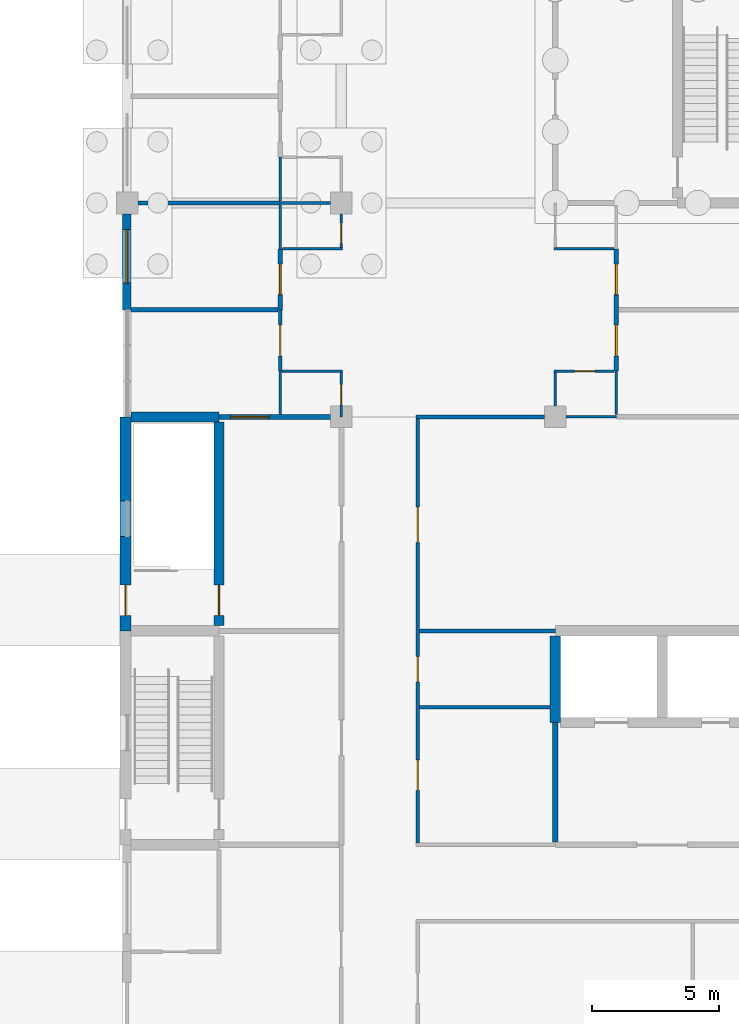
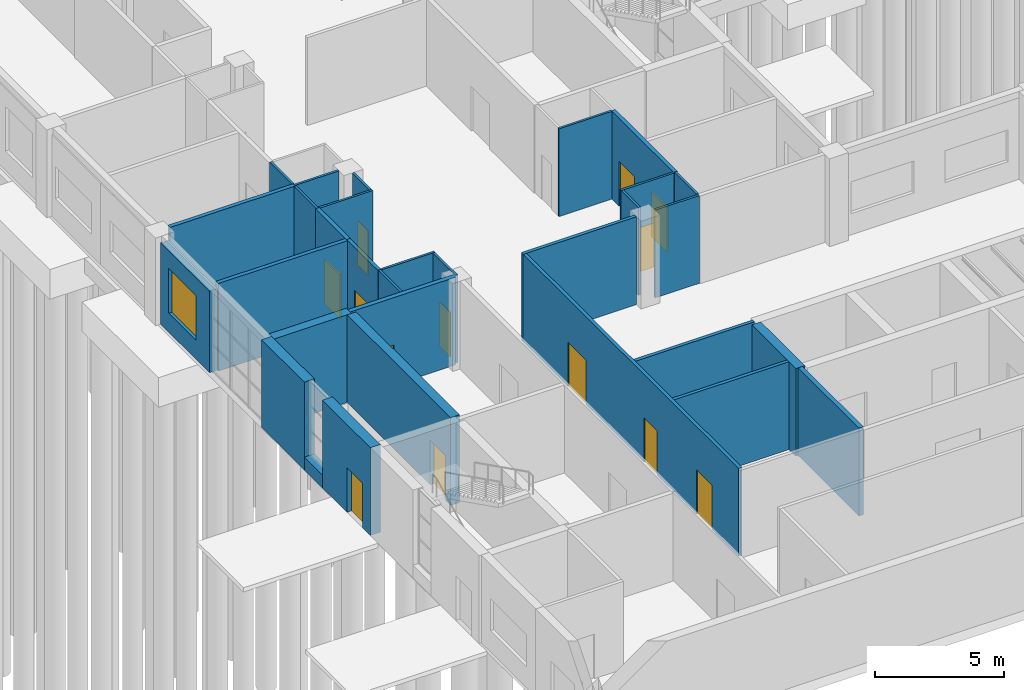
# One storey, part 95 of 138: 31 walls, 12 doors, 2 windows, 14 openings.
"""IFC4 building model written with IfcOpenShell, lengths in metres."""

from ifc_helpers import new_model, si_unit, direction, frame, frame_2d, origin, place, context, subcontext, project, spatial, rectangle, extrude, material, layer, layer_set, type_object, element, fill, save


model = new_model("IFC4")

# Units and contexts
model_context = context("Model", 3, precision=1e-05, world=origin(), true_north=direction((0.0, 1.0)))
body_context = subcontext(model_context, "Body", "Model", "MODEL_VIEW")
ifc_project = project(units=[si_unit("LENGTHUNIT", "METRE"), si_unit("AREAUNIT", "SQUARE_METRE"), si_unit("VOLUMEUNIT", "CUBIC_METRE"), si_unit("PLANEANGLEUNIT", "RADIAN"), si_unit("MASSUNIT", "GRAM", prefix="KILO")], contexts=[model_context])

# Site, building, storey
site_placement = place(None, origin())
site = spatial("IfcSite", under=ifc_project, at=site_placement, CompositionType="ELEMENT")
building_placement = place(site_placement, origin())
building = spatial("IfcBuilding", under=site, at=building_placement, Name="Yavir Park General Hospital", CompositionType="ELEMENT")
storey_placement = place(building_placement, origin())
storey = spatial("IfcBuildingStorey", under=building, at=storey_placement, Name="L00", CompositionType="ELEMENT", Elevation=0.0)

# Walls
ifc_material_1 = material(Name="Double-leaf gypsum board acoustic partition on staggered studs")
ifc_layer_1 = layer(ifc_material_1, 0.175048828125)
ifc_layer_set_1 = layer_set([ifc_layer_1], Name="Double-leaf gypsum board acoustic partition on staggered studs")
wall_type_1 = type_object("IfcWallType", Name="Acoustic partition 175", PredefinedType="PARTITIONING", material=ifc_layer_set_1)
wall_1_placement = place(storey_placement, frame((0.14990234375, 37.800048828125, 0.0), z_axis=(0.0, 0.0, 1.0), x_axis=(1.0, 0.0, 0.0)))
element("IfcWall", 1, at=wall_1_placement, inside=storey, type_object=wall_type_1, Name="AP175 L00-099", PredefinedType="PARTITIONING", context=body_context, shape_type="SweptSolid", body=[
    extrude(rectangle(XDim=5.7626953125, YDim=0.175048828125, at=frame_2d((2.88134765625, 0.0))), origin(), (0.0, 0.0, 1.0), 4.139892578125),
])
wall_2_placement = place(storey_placement, frame((0.425048828125, 42.0, 0.0), z_axis=(0.0, 0.0, 1.0), x_axis=(1.0, 0.0, 0.0)))
element("IfcWall", 2, at=wall_2_placement, inside=storey, type_object=wall_type_1, Name="AP175 L00-106", PredefinedType="PARTITIONING", context=body_context, shape_type="SweptSolid", body=[
    extrude(rectangle(XDim=5.574951171875, YDim=0.175048828125, at=frame_2d((2.78759765625, 0.0))), origin(), (0.0, 0.0, 1.0), 4.139892578125),
])

# Wall, opening, door
wall_3_placement = place(storey_placement, frame((6.0, 37.800048828125, 0.0), z_axis=(0.0, 0.0, 1.0), x_axis=(0.0, 1.0, 0.0)))
wall_3 = element("IfcWall", 3, at=wall_3_placement, inside=storey, type_object=wall_type_1, Name="AP175 L00-257", PredefinedType="PARTITIONING", context=body_context, shape_type="SweptSolid", body=[
    extrude(rectangle(XDim=2.39990234375, YDim=0.175048828125, at=frame_2d((1.199951171875, 0.0))), origin(), (0.0, 0.0, 1.0), 4.139892578125),
])
opening_1_placement = place(wall_3_placement, frame((0.60009765625, 0.0, 0.0)))
opening_1 = element("IfcOpeningElement", 4, at=opening_1_placement, cuts=wall_3, Name="Opening L00.D132", PredefinedType="OPENING", context=body_context, shape_type="SweptSolid", body=[
    extrude(rectangle(XDim=1.199951171875, YDim=2.10009765625, at=frame_2d((0.60009765625, 1.050048828125))), frame((0.0, 0.097412109375, 0.0), z_axis=(0.0, -1.0, 0.0), x_axis=(1.0, 0.0, 0.0)), (0.0, 0.0, 1.0), 0.195068359375),
])
ifc_material_2 = material(Name="Sealed solid-core acoustic door leaf, Rw 42 dB")
door_type_1 = type_object("IfcDoorType", Name="Acoustic door 1200 x 2100", OperationType="SINGLE_SWING_LEFT", PredefinedType="DOOR", material=ifc_material_2)
door_1_placement = place(opening_1_placement, origin())
door_1 = element("IfcDoor", 5, at=door_1_placement, inside=storey, type_object=door_type_1, Name="L00.D132", OperationType="SINGLE_SWING_RIGHT", OverallHeight=2.10009765625, OverallWidth=1.199951171875, PredefinedType="DOOR", context=body_context, shape_type="SweptSolid", body=[
    extrude(rectangle(XDim=1.199951171875, YDim=2.10009765625, at=frame_2d((0.60009765625, 1.050048828125))), frame((0.0, 0.03515625, 0.0), z_axis=(0.0, -1.0, 0.0), x_axis=(1.0, 0.0, 0.0)), (0.0, 0.0, 1.0), 0.070068359375),
])
fill(opening_1, door_1)

# Wall, openings, doors
wall_4_placement = place(storey_placement, frame((19.199951171875, 35.39990234375, 0.0), z_axis=(0.0, 0.0, 1.0), x_axis=(0.0, 1.0, 0.0)))
wall_4 = element("IfcWall", 6, at=wall_4_placement, inside=storey, type_object=wall_type_1, Name="AP175 L00-317", PredefinedType="PARTITIONING", context=body_context, shape_type="SweptSolid", body=[
    extrude(rectangle(XDim=4.800048828125, YDim=0.175048828125, at=frame_2d((2.39990234375, 0.0))), origin(), (0.0, 0.0, 1.0), 4.139892578125),
])
opening_2_placement = place(wall_4_placement, frame((0.60009765625, 0.0, 0.0)))
opening_2 = element("IfcOpeningElement", 7, at=opening_2_placement, cuts=wall_4, Name="Opening L00.D176", PredefinedType="OPENING", context=body_context, shape_type="SweptSolid", body=[
    extrude(rectangle(XDim=1.199951171875, YDim=2.10009765625, at=frame_2d((0.60009765625, 1.050048828125))), frame((0.0, 0.097412109375, 0.0), z_axis=(0.0, -1.0, 0.0), x_axis=(1.0, 0.0, 0.0)), (0.0, 0.0, 1.0), 0.195068359375),
])
opening_3_placement = place(wall_4_placement, frame((3.0, 0.0, 0.0)))
opening_3 = element("IfcOpeningElement", 8, at=opening_3_placement, cuts=wall_4, Name="Opening L00.D177", PredefinedType="OPENING", context=body_context, shape_type="SweptSolid", body=[
    extrude(rectangle(XDim=1.199951171875, YDim=2.10009765625, at=frame_2d((0.60009765625, 1.050048828125))), frame((0.0, 0.097412109375, 0.0), z_axis=(0.0, -1.0, 0.0), x_axis=(1.0, 0.0, 0.0)), (0.0, 0.0, 1.0), 0.195068359375),
])
door_2_placement = place(opening_2_placement, origin())
door_2 = element("IfcDoor", 9, at=door_2_placement, inside=storey, type_object=door_type_1, Name="L00.D176", OperationType="SINGLE_SWING_RIGHT", OverallHeight=2.10009765625, OverallWidth=1.199951171875, PredefinedType="DOOR", context=body_context, shape_type="SweptSolid", body=[
    extrude(rectangle(XDim=1.199951171875, YDim=2.10009765625, at=frame_2d((0.60009765625, 1.050048828125))), frame((0.0, 0.03515625, 0.0), z_axis=(0.0, -1.0, 0.0), x_axis=(1.0, 0.0, 0.0)), (0.0, 0.0, 1.0), 0.070068359375),
])
fill(opening_2, door_2)
door_3_placement = place(opening_3_placement, origin())
door_3 = element("IfcDoor", 10, at=door_3_placement, inside=storey, type_object=door_type_1, Name="L00.D177", OperationType="SINGLE_SWING_LEFT", OverallHeight=2.10009765625, OverallWidth=1.199951171875, PredefinedType="DOOR", context=body_context, shape_type="SweptSolid", body=[
    extrude(rectangle(XDim=1.199951171875, YDim=2.10009765625, at=frame_2d((0.60009765625, 1.050048828125))), frame((0.0, 0.03515625, 0.0), z_axis=(0.0, -1.0, 0.0), x_axis=(1.0, 0.0, 0.0)), (0.0, 0.0, 1.0), 0.070068359375),
])
fill(opening_3, door_3)

# Wall, opening, window
ifc_material_3 = material(Name="Double gypsum board fire partition on steel studs", Category="steel")
ifc_layer_2 = layer(ifc_material_3, 0.199951171875)
ifc_layer_set_2 = layer_set([ifc_layer_2], Name="Double gypsum board fire partition on steel studs")
wall_type_2 = type_object("IfcWallType", Name="Fire-rated partition 200, EI 60", PredefinedType="PARTITIONING", material=ifc_layer_set_2)
wall_5_placement = place(storey_placement, frame((3.60009765625, 33.60009765625, 0.0), z_axis=(0.0, 0.0, 1.0), x_axis=(1.0, 0.0, 0.0)))
wall_5 = element("IfcWall", 11, at=wall_5_placement, inside=storey, type_object=wall_type_2, Name="FP20 L00-085", PredefinedType="PARTITIONING", context=body_context, shape_type="SweptSolid", body=[
    extrude(rectangle(XDim=4.699951171875, YDim=0.199951171875, at=frame_2d((2.35009765625, 0.0))), origin(), (0.0, 0.0, 1.0), 4.139892578125),
])
opening_4_placement = place(wall_5_placement, frame((0.449951171875, 0.0, 0.89990234375)))
opening_4 = element("IfcOpeningElement", 12, at=opening_4_placement, cuts=wall_5, Name="Opening L00.902", PredefinedType="OPENING", context=body_context, shape_type="SweptSolid", body=[
    extrude(rectangle(XDim=1.5, YDim=1.0, at=frame_2d((0.75, 0.5))), frame((0.0, 0.10986328125, 0.0), z_axis=(0.0, -1.0, 0.0), x_axis=(1.0, 0.0, 0.0)), (0.0, 0.0, 1.0), 0.219970703125),
])
ifc_material_4 = material(Name="Toughened glass sliding panels, aluminium frame", Category="aluminium")
window_type_1 = type_object("IfcWindowType", Name="Reception counter window 1500 x 1000", PartitioningType="DOUBLE_PANEL_HORIZONTAL", PredefinedType="WINDOW", material=ifc_material_4)
window_1_placement = place(opening_4_placement, origin())
window_1 = element("IfcWindow", 13, at=window_1_placement, inside=storey, type_object=window_type_1, Name="L00.902", OverallHeight=1.0, OverallWidth=1.5, PartitioningType="DOUBLE_PANEL_HORIZONTAL", PredefinedType="WINDOW", context=body_context, shape_type="SweptSolid", body=[
    extrude(rectangle(XDim=1.5, YDim=1.0, at=frame_2d((0.75, 0.5))), frame((0.0, 0.02490234375, 0.0), z_axis=(0.0, -1.0, 0.0), x_axis=(1.0, 0.0, 0.0)), (0.0, 0.0, 1.0), 0.050048828125),
])
fill(opening_4, window_1)

# Walls
wall_6_placement = place(storey_placement, frame((16.800048828125, 16.89990234375, 0.0), z_axis=(0.0, 0.0, 1.0), x_axis=(0.0, 1.0, 0.0)))
element("IfcWall", 14, at=wall_6_placement, inside=storey, type_object=wall_type_2, Name="FP20 L00-297", PredefinedType="PARTITIONING", context=body_context, shape_type="SweptSolid", body=[
    extrude(rectangle(XDim=4.7001953125, YDim=0.199951171875, at=frame_2d((2.35009765625, 0.0))), origin(), (0.0, 0.0, 1.0), 4.139892578125),
])
ifc_material_5 = material(Name="Gypsum board partition on steel studs", Category="steel")
ifc_layer_3 = layer(ifc_material_5, 0.10009765625)
ifc_layer_set_3 = layer_set([ifc_layer_3], Name="Gypsum board partition on steel studs")
wall_type_3 = type_object("IfcWallType", Name="Gypsum board partition 100", PredefinedType="PARTITIONING", material=ifc_layer_set_3)
wall_7_placement = place(storey_placement, frame((17.22509765625, 33.60009765625, 0.0), z_axis=(0.0, 0.0, 1.0), x_axis=(1.0, 0.0, 0.0)))
element("IfcWall", 15, at=wall_7_placement, inside=storey, type_object=wall_type_3, Name="P10 L00-087", PredefinedType="PARTITIONING", context=body_context, shape_type="SweptSolid", body=[
    extrude(rectangle(XDim=1.974853515625, YDim=0.10009765625, at=frame_2d((0.9873046875, 0.0))), origin(), (0.0, 0.0, 1.0), 4.139892578125),
])
wall_8_placement = place(storey_placement, frame((6.074951171875, 35.39990234375, 0.0), z_axis=(0.0, 0.0, 1.0), x_axis=(1.0, 0.0, 0.0)))
element("IfcWall", 16, at=wall_8_placement, inside=storey, type_object=wall_type_3, Name="P10 L00-096", PredefinedType="PARTITIONING", context=body_context, shape_type="SweptSolid", body=[
    extrude(rectangle(XDim=2.375, YDim=0.10009765625, at=frame_2d((1.1875, 0.0))), origin(), (0.0, 0.0, 1.0), 4.139892578125),
])

# Wall, opening, door
wall_9_placement = place(storey_placement, frame((16.75, 35.39990234375, 0.0), z_axis=(0.0, 0.0, 1.0), x_axis=(1.0, 0.0, 0.0)))
wall_9 = element("IfcWall", 17, at=wall_9_placement, inside=storey, type_object=wall_type_3, Name="P10 L00-097", PredefinedType="PARTITIONING", context=body_context, shape_type="SweptSolid", body=[
    extrude(rectangle(XDim=2.362548828125, YDim=0.10009765625, at=frame_2d((1.18115234375, 0.0))), origin(), (0.0, 0.0, 1.0), 4.139892578125),
])
opening_5_placement = place(wall_9_placement, frame((0.80615234375, 0.0, 0.0)))
opening_5 = element("IfcOpeningElement", 18, at=opening_5_placement, cuts=wall_9, Name="Opening L00.D084", PredefinedType="OPENING", context=body_context, shape_type="SweptSolid", body=[
    extrude(rectangle(XDim=0.800048828125, YDim=2.10009765625, at=frame_2d((0.39990234375, 1.050048828125))), frame((0.0, 0.06005859375, 0.0), z_axis=(0.0, -1.0, 0.0), x_axis=(1.0, 0.0, 0.0)), (0.0, 0.0, 1.0), 0.1201171875),
])
ifc_material_6 = material(Name="Timber frame, hollow-core leaf", Category="wood")
door_type_2 = type_object("IfcDoorType", Name="Light cupboard door 800 x 2100", OperationType="SINGLE_SWING_LEFT", PredefinedType="DOOR", material=ifc_material_6)
door_4_placement = place(opening_5_placement, origin())
door_4 = element("IfcDoor", 19, at=door_4_placement, inside=storey, type_object=door_type_2, Name="L00.D084", OperationType="SINGLE_SWING_LEFT", OverallHeight=2.10009765625, OverallWidth=0.800048828125, PredefinedType="DOOR", context=body_context, shape_type="SweptSolid", body=[
    extrude(rectangle(XDim=0.800048828125, YDim=2.10009765625, at=frame_2d((0.39990234375, 1.050048828125))), frame((0.0, 0.02001953125, 0.0), z_axis=(0.0, -1.0, 0.0), x_axis=(1.0, 0.0, 0.0)), (0.0, 0.0, 1.0), 0.0400390625),
])
fill(opening_5, door_4)

# Walls
for number, where, z_axis, x_axis, name in (
    (20, (6.08740234375, 40.199951171875, 0.0), (0.0, 0.0, 1.0), (1.0, 0.0, 0.0), "P10 L00-104"),
    (21, (16.75, 40.199951171875, 0.0), (0.0, 0.0, 1.0), (1.0, 0.0, 0.0), "P10 L00-105"),
):
    element("IfcWall", number, at=place(storey_placement, frame(where, z_axis=z_axis, x_axis=x_axis)), inside=storey, type_object=wall_type_3, Name=name, PredefinedType="PARTITIONING", context=body_context, shape_type="SweptSolid", body=[
        extrude(rectangle(XDim=2.362548828125, YDim=0.10009765625, at=frame_2d((1.18115234375, 0.0))), origin(), (0.0, 0.0, 1.0), 4.139892578125),
    ])
wall_10_placement = place(storey_placement, frame((6.0, 42.0, 0.0), z_axis=(0.0, 0.0, 1.0), x_axis=(1.0, 0.0, 0.0)))
element("IfcWall", 22, at=wall_10_placement, inside=storey, type_object=wall_type_3, Name="P10 L00-107", PredefinedType="PARTITIONING", context=body_context, shape_type="SweptSolid", body=[
    extrude(rectangle(XDim=1.97509765625, YDim=0.10009765625, at=frame_2d((0.987548828125, 0.0))), origin(), (0.0, 0.0, 1.0), 4.139892578125),
])
wall_11_placement = place(storey_placement, frame((6.0, 33.699951171875, 0.0), z_axis=(0.0, 0.0, 1.0), x_axis=(0.0, 1.0, 0.0)))
element("IfcWall", 23, at=wall_11_placement, inside=storey, type_object=wall_type_3, Name="P10 L00-255", PredefinedType="PARTITIONING", context=body_context, shape_type="SweptSolid", body=[
    extrude(rectangle(XDim=1.699951171875, YDim=0.10009765625, at=frame_2d((0.85009765625, 0.0))), origin(), (0.0, 0.0, 1.0), 4.139892578125),
])
for number, where, z_axis, x_axis, name in (
    (24, (6.0, 40.199951171875, 0.0), (0.0, 0.0, 1.0), (0.0, 1.0, 0.0), "P10 L00-258"),
    (25, (6.0, 42.08740234375, 0.0), (0.0, 0.0, 1.0), (0.0, 1.0, 0.0), "P10 L00-259"),
):
    element("IfcWall", number, at=place(storey_placement, frame(where, z_axis=z_axis, x_axis=x_axis)), inside=storey, type_object=wall_type_3, Name=name, PredefinedType="PARTITIONING", context=body_context, shape_type="SweptSolid", body=[
        extrude(rectangle(XDim=1.712646484375, YDim=0.10009765625, at=frame_2d((0.8564453125, 0.0))), origin(), (0.0, 0.0, 1.0), 4.139892578125),
    ])

# Wall, opening, door
wall_12_placement = place(storey_placement, frame((8.39990234375, 33.60009765625, 0.0), z_axis=(0.0, 0.0, 1.0), x_axis=(0.0, 1.0, 0.0)))
wall_12 = element("IfcWall", 26, at=wall_12_placement, inside=storey, type_object=wall_type_3, Name="P10 L00-280", PredefinedType="PARTITIONING", context=body_context, shape_type="SweptSolid", body=[
    extrude(rectangle(XDim=1.75, YDim=0.10009765625, at=frame_2d((0.875, 0.0))), origin(), (0.0, 0.0, 1.0), 4.139892578125),
])
opening_6_placement = place(wall_12_placement, frame((0.47509765625, 0.0, 0.0)))
opening_6 = element("IfcOpeningElement", 27, at=opening_6_placement, cuts=wall_12, Name="Opening L00.D148", PredefinedType="OPENING", context=body_context, shape_type="SweptSolid", body=[
    extrude(rectangle(XDim=0.800048828125, YDim=2.10009765625, at=frame_2d((0.39990234375, 1.050048828125))), frame((0.0, 0.06005859375, 0.0), z_axis=(0.0, -1.0, 0.0), x_axis=(1.0, 0.0, 0.0)), (0.0, 0.0, 1.0), 0.1201171875),
])
door_5_placement = place(opening_6_placement, origin())
door_5 = element("IfcDoor", 28, at=door_5_placement, inside=storey, type_object=door_type_2, Name="L00.D148", OperationType="SINGLE_SWING_RIGHT", OverallHeight=2.10009765625, OverallWidth=0.800048828125, PredefinedType="DOOR", context=body_context, shape_type="SweptSolid", body=[
    extrude(rectangle(XDim=0.800048828125, YDim=2.10009765625, at=frame_2d((0.39990234375, 1.050048828125))), frame((0.0, 0.02001953125, 0.0), z_axis=(0.0, -1.0, 0.0), x_axis=(1.0, 0.0, 0.0)), (0.0, 0.0, 1.0), 0.0400390625),
])
fill(opening_6, door_5)

wall_13_placement = place(storey_placement, frame((8.39990234375, 40.25, 0.0), z_axis=(0.0, 0.0, 1.0), x_axis=(0.0, 1.0, 0.0)))
wall_13 = element("IfcWall", 29, at=wall_13_placement, inside=storey, type_object=wall_type_3, Name="P10 L00-281", PredefinedType="PARTITIONING", context=body_context, shape_type="SweptSolid", body=[
    extrude(rectangle(XDim=1.324951171875, YDim=0.10009765625, at=frame_2d((0.66259765625, 0.0))), origin(), (0.0, 0.0, 1.0), 4.139892578125),
])
opening_7_placement = place(wall_13_placement, frame((0.16259765625, 0.0, 0.0)))
opening_7 = element("IfcOpeningElement", 30, at=opening_7_placement, cuts=wall_13, Name="Opening L00.D149", PredefinedType="OPENING", context=body_context, shape_type="SweptSolid", body=[
    extrude(rectangle(XDim=0.800048828125, YDim=2.10009765625, at=frame_2d((0.39990234375, 1.050048828125))), frame((0.0, 0.06005859375, 0.0), z_axis=(0.0, -1.0, 0.0), x_axis=(1.0, 0.0, 0.0)), (0.0, 0.0, 1.0), 0.1201171875),
])
door_6_placement = place(opening_7_placement, origin())
door_6 = element("IfcDoor", 31, at=door_6_placement, inside=storey, type_object=door_type_2, Name="L00.D149", OperationType="SINGLE_SWING_RIGHT", OverallHeight=2.10009765625, OverallWidth=0.800048828125, PredefinedType="DOOR", context=body_context, shape_type="SweptSolid", body=[
    extrude(rectangle(XDim=0.800048828125, YDim=2.10009765625, at=frame_2d((0.39990234375, 1.050048828125))), frame((0.0, 0.02001953125, 0.0), z_axis=(0.0, -1.0, 0.0), x_axis=(1.0, 0.0, 0.0)), (0.0, 0.0, 1.0), 0.0400390625),
])
fill(opening_7, door_6)

# Walls
wall_14_placement = place(storey_placement, frame((16.800048828125, 34.02490234375, 0.0), z_axis=(0.0, 0.0, 1.0), x_axis=(0.0, 1.0, 0.0)))
element("IfcWall", 32, at=wall_14_placement, inside=storey, type_object=wall_type_3, Name="P10 L00-299", PredefinedType="PARTITIONING", context=body_context, shape_type="SweptSolid", body=[
    extrude(rectangle(XDim=1.3251953125, YDim=0.10009765625, at=frame_2d((0.66259765625, 0.0))), origin(), (0.0, 0.0, 1.0), 4.139892578125),
])
wall_15_placement = place(storey_placement, frame((19.199951171875, 33.6875, 0.0), z_axis=(0.0, 0.0, 1.0), x_axis=(0.0, 1.0, 0.0)))
element("IfcWall", 33, at=wall_15_placement, inside=storey, type_object=wall_type_3, Name="P10 L00-316", PredefinedType="PARTITIONING", context=body_context, shape_type="SweptSolid", body=[
    extrude(rectangle(XDim=1.71240234375, YDim=0.10009765625, at=frame_2d((0.856201171875, 0.0))), origin(), (0.0, 0.0, 1.0), 4.139892578125),
])
ifc_material_7 = material(Name="Gypsum board partition on steel studs", Category="steel")
ifc_layer_4 = layer(ifc_material_7, 0.14990234375)
ifc_layer_set_4 = layer_set([ifc_layer_4], Name="Gypsum board partition on steel studs")
wall_type_4 = type_object("IfcWallType", Name="Gypsum board partition 150", PredefinedType="PARTITIONING", material=ifc_layer_set_4)
wall_16_placement = place(storey_placement, frame((11.47509765625, 22.199951171875, 0.0), z_axis=(0.0, 0.0, 1.0), x_axis=(1.0, 0.0, 0.0)))
element("IfcWall", 34, at=wall_16_placement, inside=storey, type_object=wall_type_4, Name="P15 L00-052", PredefinedType="PARTITIONING", context=body_context, shape_type="SweptSolid", body=[
    extrude(rectangle(XDim=5.125, YDim=0.14990234375, at=frame_2d((2.5625, 0.0))), origin(), (0.0, 0.0, 1.0), 4.139892578125),
])
wall_17_placement = place(storey_placement, frame((11.47509765625, 25.199951171875, 0.0), z_axis=(0.0, 0.0, 1.0), x_axis=(1.0, 0.0, 0.0)))
element("IfcWall", 35, at=wall_17_placement, inside=storey, type_object=wall_type_4, Name="P15 L00-059", PredefinedType="PARTITIONING", context=body_context, shape_type="SweptSolid", body=[
    extrude(rectangle(XDim=5.324951171875, YDim=0.14990234375, at=frame_2d((2.66259765625, 0.0))), origin(), (0.0, 0.0, 1.0), 4.139892578125),
])
wall_18_placement = place(storey_placement, frame((11.324951171875, 33.60009765625, 0.0), z_axis=(0.0, 0.0, 1.0), x_axis=(1.0, 0.0, 0.0)))
element("IfcWall", 36, at=wall_18_placement, inside=storey, type_object=wall_type_4, Name="P15 L00-086", PredefinedType="PARTITIONING", context=body_context, shape_type="SweptSolid", body=[
    extrude(rectangle(XDim=5.050048828125, YDim=0.14990234375, at=frame_2d((2.52490234375, 0.0))), origin(), (0.0, 0.0, 1.0), 4.139892578125),
])

# Wall, opening, door
wall_19_placement = place(storey_placement, frame((6.0, 35.39990234375, 0.0), z_axis=(0.0, 0.0, 1.0), x_axis=(0.0, 1.0, 0.0)))
wall_19 = element("IfcWall", 37, at=wall_19_placement, inside=storey, type_object=wall_type_4, Name="P15 L00-256", PredefinedType="PARTITIONING", context=body_context, shape_type="SweptSolid", body=[
    extrude(rectangle(XDim=2.400146484375, YDim=0.14990234375, at=frame_2d((1.2001953125, 0.0))), origin(), (0.0, 0.0, 1.0), 4.139892578125),
])
opening_8_placement = place(wall_19_placement, frame((0.60009765625, 0.0, 0.0)))
opening_8 = element("IfcOpeningElement", 38, at=opening_8_placement, cuts=wall_19, Name="Opening L00.D131", PredefinedType="OPENING", context=body_context, shape_type="SweptSolid", body=[
    extrude(rectangle(XDim=1.199951171875, YDim=2.10009765625, at=frame_2d((0.60009765625, 1.050048828125))), frame((0.0, 0.0849609375, 0.0), z_axis=(0.0, -1.0, 0.0), x_axis=(1.0, 0.0, 0.0)), (0.0, 0.0, 1.0), 0.169921875),
])
ifc_material_8 = material(Name="Hollow metal frame, solid-core timber leaf", Category="wood")
door_type_3 = type_object("IfcDoorType", Name="Single swing door 1200 x 2100", OperationType="SINGLE_SWING_LEFT", PredefinedType="DOOR", material=ifc_material_8)
door_7_placement = place(opening_8_placement, origin())
door_7 = element("IfcDoor", 39, at=door_7_placement, inside=storey, type_object=door_type_3, Name="L00.D131", OperationType="SINGLE_SWING_LEFT", OverallHeight=2.10009765625, OverallWidth=1.199951171875, PredefinedType="DOOR", context=body_context, shape_type="SweptSolid", body=[
    extrude(rectangle(XDim=1.199951171875, YDim=2.10009765625, at=frame_2d((0.60009765625, 1.050048828125))), frame((0.0, 0.02490234375, 0.0), z_axis=(0.0, -1.0, 0.0), x_axis=(1.0, 0.0, 0.0)), (0.0, 0.0, 1.0), 0.050048828125),
])
fill(opening_8, door_7)

# Wall, openings, doors
wall_20_placement = place(storey_placement, frame((11.39990234375, 16.875, 0.0), z_axis=(0.0, 0.0, 1.0), x_axis=(0.0, 1.0, 0.0)))
wall_20 = element("IfcWall", 40, at=wall_20_placement, inside=storey, type_object=wall_type_4, Name="P15 L00-296", PredefinedType="PARTITIONING", context=body_context, shape_type="SweptSolid", body=[
    extrude(rectangle(XDim=16.64990234375, YDim=0.14990234375, at=frame_2d((8.324951171875, 0.0))), origin(), (0.0, 0.0, 1.0), 4.139892578125),
])
opening_9_placement = place(wall_20_placement, frame((2.0625, 0.0, 0.0)))
opening_9 = element("IfcOpeningElement", 41, at=opening_9_placement, cuts=wall_20, Name="Opening L00.D160", PredefinedType="OPENING", context=body_context, shape_type="SweptSolid", body=[
    extrude(rectangle(XDim=1.199951171875, YDim=2.10009765625, at=frame_2d((0.60009765625, 1.050048828125))), frame((0.0, 0.0849609375, 0.0), z_axis=(0.0, -1.0, 0.0), x_axis=(1.0, 0.0, 0.0)), (0.0, 0.0, 1.0), 0.169921875),
])
opening_10_placement = place(wall_20_placement, frame((6.324951171875, 0.0, 0.0)))
opening_10 = element("IfcOpeningElement", 42, at=opening_10_placement, cuts=wall_20, Name="Opening L00.D161", PredefinedType="OPENING", context=body_context, shape_type="SweptSolid", body=[
    extrude(rectangle(XDim=1.0, YDim=2.10009765625, at=frame_2d((0.5, 1.050048828125))), frame((0.0, 0.0849609375, 0.0), z_axis=(0.0, -1.0, 0.0), x_axis=(1.0, 0.0, 0.0)), (0.0, 0.0, 1.0), 0.169921875),
])
opening_11_placement = place(wall_20_placement, frame((11.78759765625, 0.0, 0.0)))
opening_11 = element("IfcOpeningElement", 43, at=opening_11_placement, cuts=wall_20, Name="Opening L00.D162", PredefinedType="OPENING", context=body_context, shape_type="SweptSolid", body=[
    extrude(rectangle(XDim=1.39990234375, YDim=2.10009765625, at=frame_2d((0.699951171875, 1.050048828125))), frame((0.0, 0.0849609375, 0.0), z_axis=(0.0, -1.0, 0.0), x_axis=(1.0, 0.0, 0.0)), (0.0, 0.0, 1.0), 0.169921875),
])
ifc_material_9 = material(Name="Hollow metal frame, solid-core timber leaf", Category="wood")
door_type_4 = type_object("IfcDoorType", Name="Double swing door 1400 x 2100", OperationType="DOUBLE_DOOR_SINGLE_SWING", PredefinedType="DOOR", material=ifc_material_9)
door_8_placement = place(opening_11_placement, origin())
door_8 = element("IfcDoor", 44, at=door_8_placement, inside=storey, type_object=door_type_4, Name="L00.D162", OperationType="SINGLE_SWING_RIGHT", OverallHeight=2.10009765625, OverallWidth=1.39990234375, PredefinedType="DOOR", context=body_context, shape_type="SweptSolid", body=[
    extrude(rectangle(XDim=1.39990234375, YDim=2.10009765625, at=frame_2d((0.699951171875, 1.050048828125))), frame((0.0, 0.02490234375, 0.0), z_axis=(0.0, -1.0, 0.0), x_axis=(1.0, 0.0, 0.0)), (0.0, 0.0, 1.0), 0.050048828125),
])
fill(opening_11, door_8)
ifc_material_10 = material(Name="Hollow metal frame, solid-core timber leaf", Category="wood")
door_type_5 = type_object("IfcDoorType", Name="Single swing door 1000 x 2100", OperationType="SINGLE_SWING_LEFT", PredefinedType="DOOR", material=ifc_material_10)
door_9_placement = place(opening_10_placement, origin())
door_9 = element("IfcDoor", 45, at=door_9_placement, inside=storey, type_object=door_type_5, Name="L00.D161", OperationType="SINGLE_SWING_LEFT", OverallHeight=2.10009765625, OverallWidth=1.0, PredefinedType="DOOR", context=body_context, shape_type="SweptSolid", body=[
    extrude(rectangle(XDim=1.0, YDim=2.10009765625, at=frame_2d((0.5, 1.050048828125))), frame((0.0, 0.02490234375, 0.0), z_axis=(0.0, -1.0, 0.0), x_axis=(1.0, 0.0, 0.0)), (0.0, 0.0, 1.0), 0.050048828125),
])
fill(opening_10, door_9)
door_10_placement = place(opening_9_placement, origin())
door_10 = element("IfcDoor", 46, at=door_10_placement, inside=storey, type_object=door_type_3, Name="L00.D160", OperationType="SINGLE_SWING_RIGHT", OverallHeight=2.10009765625, OverallWidth=1.199951171875, PredefinedType="DOOR", context=body_context, shape_type="SweptSolid", body=[
    extrude(rectangle(XDim=1.199951171875, YDim=2.10009765625, at=frame_2d((0.60009765625, 1.050048828125))), frame((0.0, 0.02490234375, 0.0), z_axis=(0.0, -1.0, 0.0), x_axis=(1.0, 0.0, 0.0)), (0.0, 0.0, 1.0), 0.050048828125),
])
fill(opening_9, door_10)

# Wall, opening, window
ifc_material_11 = material(Name="Concrete C30/37 precast panel with 120 mm mineral wool insulation", Category="concrete")
ifc_layer_5 = layer(ifc_material_11, 0.35009765625)
ifc_layer_set_5 = layer_set([ifc_layer_5], Name="Concrete C30/37 precast panel with 120 mm mineral wool insulation")
wall_type_5 = type_object("IfcWallType", Name="Precast cladding panel podium wall 350, E 30", PredefinedType="SOLIDWALL", material=ifc_layer_set_5)
wall_21_placement = place(storey_placement, frame((-0.02490234375, 37.800048828125, 0.0), z_axis=(0.0, 0.0, 1.0), x_axis=(0.0, 1.0, 0.0)))
wall_21 = element("IfcWall", 47, at=wall_21_placement, inside=storey, type_object=wall_type_5, Name="XW2 L00-102", PredefinedType="SOLIDWALL", context=body_context, shape_type="SweptSolid", body=[
    extrude(rectangle(XDim=3.77490234375, YDim=0.35009765625, at=frame_2d((1.887451171875, 0.0))), origin(), (0.0, 0.0, 1.0), 3.840087890625),
])
opening_12_placement = place(wall_21_placement, frame((1.050048828125, 0.0, 0.89990234375)))
opening_12 = element("IfcOpeningElement", 48, at=opening_12_placement, cuts=wall_21, Name="Opening WA2", PredefinedType="OPENING", context=body_context, shape_type="SweptSolid", body=[
    extrude(rectangle(XDim=2.10009765625, YDim=2.10009765625, at=frame_2d((1.050048828125, 1.050048828125))), frame((0.0, 0.18505859375, 0.0), z_axis=(0.0, -1.0, 0.0), x_axis=(1.0, 0.0, 0.0)), (0.0, 0.0, 1.0), 0.3701171875),
])
ifc_material_12 = material(Name="Aluminium frame, double glazed unit", Category="aluminium")
window_type_2 = type_object("IfcWindowType", Name="Tall window 2100 x 2100", PartitioningType="DOUBLE_PANEL_VERTICAL", PredefinedType="WINDOW", material=ifc_material_12)
window_2_placement = place(opening_12_placement, origin())
window_2 = element("IfcWindow", 49, at=window_2_placement, inside=storey, type_object=window_type_2, Name="WA2 L00-032", OverallHeight=2.10009765625, OverallWidth=2.10009765625, PartitioningType="DOUBLE_PANEL_VERTICAL", PredefinedType="WINDOW", context=body_context, shape_type="SweptSolid", body=[
    extrude(rectangle(XDim=2.10009765625, YDim=2.10009765625, at=frame_2d((1.050048828125, 1.050048828125))), frame((0.0, 0.030029296875, 0.0), z_axis=(0.0, -1.0, 0.0), x_axis=(1.0, 0.0, 0.0)), (0.0, 0.0, 1.0), 0.06005859375),
])
fill(opening_12, window_2)

# Wall
ifc_material_13 = material(Name="Concrete C35/45", Category="concrete")
ifc_layer_6 = layer(ifc_material_13, 0.39990234375)
ifc_layer_set_6 = layer_set([ifc_layer_6], Name="Concrete C35/45")
wall_type_6 = type_object("IfcWallType", Name="Reinforced concrete core wall 400, REI 150", PredefinedType="SHEAR", material=ifc_layer_set_6)
wall_22_placement = place(storey_placement, frame((0.14990234375, 33.60009765625, 0.0), z_axis=(0.0, 0.0, 1.0), x_axis=(1.0, 0.0, 0.0)))
element("IfcWall", 50, at=wall_22_placement, inside=storey, type_object=wall_type_6, Name="CW40 L00-084", PredefinedType="SHEAR", context=body_context, shape_type="SweptSolid", body=[
    extrude(rectangle(XDim=3.4501953125, YDim=0.39990234375, at=frame_2d((1.72509765625, 0.0))), origin(), (0.0, 0.0, 1.0), 4.139892578125),
])

# Wall, opening, door
wall_23_placement = place(storey_placement, frame((3.60009765625, 25.39990234375, 0.0), z_axis=(0.0, 0.0, 1.0), x_axis=(0.0, 1.0, 0.0)))
wall_23 = element("IfcWall", 51, at=wall_23_placement, inside=storey, type_object=wall_type_6, Name="CW40 L00-253", PredefinedType="SHEAR", context=body_context, shape_type="SweptSolid", body=[
    extrude(rectangle(XDim=8.0, YDim=0.39990234375, at=frame_2d((4.0, 0.0))), origin(), (0.0, 0.0, 1.0), 4.139892578125),
])
opening_13_placement = place(wall_23_placement, frame((0.39990234375, 0.0, 0.0)))
opening_13 = element("IfcOpeningElement", 52, at=opening_13_placement, cuts=wall_23, Name="Opening L00.D128", PredefinedType="OPENING", context=body_context, shape_type="SweptSolid", body=[
    extrude(rectangle(XDim=1.199951171875, YDim=2.10009765625, at=frame_2d((0.60009765625, 1.050048828125))), frame((0.0, 0.2099609375, 0.0), z_axis=(0.0, -1.0, 0.0), x_axis=(1.0, 0.0, 0.0)), (0.0, 0.0, 1.0), 0.419921875),
])
ifc_material_14 = material(Name="Steel frame, fire-resisting timber leaf", Category="steel")
door_type_6 = type_object("IfcDoorType", Name="Fire door 1200 x 2100, EI 60", OperationType="SINGLE_SWING_LEFT", PredefinedType="DOOR", material=ifc_material_14)
door_11_placement = place(opening_13_placement, origin())
door_11 = element("IfcDoor", 53, at=door_11_placement, inside=storey, type_object=door_type_6, Name="L00.D128", OperationType="SINGLE_SWING_LEFT", OverallHeight=2.10009765625, OverallWidth=1.199951171875, PredefinedType="DOOR", context=body_context, shape_type="SweptSolid", body=[
    extrude(rectangle(XDim=1.199951171875, YDim=2.10009765625, at=frame_2d((0.60009765625, 1.050048828125))), frame((0.0, 0.02490234375, 0.0), z_axis=(0.0, -1.0, 0.0), x_axis=(1.0, 0.0, 0.0)), (0.0, 0.0, 1.0), 0.050048828125),
])
fill(opening_13, door_11)

# Wall
wall_24_placement = place(storey_placement, frame((16.800048828125, 21.60009765625, 0.0), z_axis=(0.0, 0.0, 1.0), x_axis=(0.0, 1.0, 0.0)))
element("IfcWall", 54, at=wall_24_placement, inside=storey, type_object=wall_type_6, Name="CW40 L00-298", PredefinedType="SHEAR", context=body_context, shape_type="SweptSolid", body=[
    extrude(rectangle(XDim=3.39990234375, YDim=0.39990234375, at=frame_2d((1.699951171875, 0.0))), origin(), (0.0, 0.0, 1.0), 4.139892578125),
])

# Wall, opening, door
ifc_material_15 = material(Name="Concrete C30/37 precast panel with 150 mm mineral wool insulation", Category="concrete")
ifc_layer_7 = layer(ifc_material_15, 0.449951171875)
ifc_layer_set_7 = layer_set([ifc_layer_7], Name="Concrete C30/37 precast panel with 150 mm mineral wool insulation")
wall_type_7 = type_object("IfcWallType", Name="Stair enclosure wall 450, REI 150", PredefinedType="SOLIDWALL", material=ifc_layer_set_7)
wall_25_placement = place(storey_placement, frame((-0.074951171875, 25.199951171875, 0.0), z_axis=(0.0, 0.0, 1.0), x_axis=(0.0, 1.0, 0.0)))
wall_25 = element("IfcWall", 55, at=wall_25_placement, inside=storey, type_object=wall_type_7, Name="XW6 L00-099", PredefinedType="SOLIDWALL", context=body_context, shape_type="SweptSolid", body=[
    extrude(rectangle(XDim=3.699951171875, YDim=0.449951171875, at=frame_2d((1.85009765625, 0.0))), origin(), (0.0, 0.0, 1.0), 4.139892578125),
])
opening_14_placement = place(wall_25_placement, frame((0.60009765625, 0.0, 0.0)))
opening_14 = element("IfcOpeningElement", 56, at=opening_14_placement, cuts=wall_25, Name="Opening L00.X25", PredefinedType="OPENING", context=body_context, shape_type="SweptSolid", body=[
    extrude(rectangle(XDim=1.199951171875, YDim=2.10009765625, at=frame_2d((0.60009765625, 1.050048828125))), frame((0.0, 0.23486328125, 0.0), z_axis=(0.0, -1.0, 0.0), x_axis=(1.0, 0.0, 0.0)), (0.0, 0.0, 1.0), 0.469970703125),
])
door_12_placement = place(opening_14_placement, origin())
door_12 = element("IfcDoor", 57, at=door_12_placement, inside=storey, type_object=door_type_3, Name="L00.X25", OperationType="SINGLE_SWING_RIGHT", OverallHeight=2.10009765625, OverallWidth=1.199951171875, PredefinedType="DOOR", context=body_context, shape_type="SweptSolid", body=[
    extrude(rectangle(XDim=1.199951171875, YDim=2.10009765625, at=frame_2d((0.60009765625, 1.050048828125))), frame((0.0, 0.02490234375, 0.0), z_axis=(0.0, -1.0, 0.0), x_axis=(1.0, 0.0, 0.0)), (0.0, 0.0, 1.0), 0.050048828125),
])
fill(opening_14, door_12)

# Walls
wall_26_placement = place(storey_placement, frame((-0.074951171875, 30.300048828125, 0.0), z_axis=(0.0, 0.0, 1.0), x_axis=(0.0, 1.0, 0.0)))
element("IfcWall", 58, at=wall_26_placement, inside=storey, type_object=wall_type_7, Name="XW6 L00-100", PredefinedType="SOLIDWALL", context=body_context, shape_type="SweptSolid", body=[
    extrude(rectangle(XDim=3.300048828125, YDim=0.449951171875, at=frame_2d((1.64990234375, 0.0))), origin(), (0.0, 0.0, 1.0), 4.139892578125),
])
wall_27_placement = place(storey_placement, frame((-0.074951171875, 28.89990234375, 0.0), z_axis=(0.0, 0.0, 1.0), x_axis=(0.0, 1.0, 0.0)))
element("IfcWall", 59, at=wall_27_placement, inside=storey, type_object=wall_type_7, Name="XW6 L00-101", PredefinedType="SOLIDWALL", context=body_context, shape_type="SweptSolid", body=[
    extrude(rectangle(XDim=1.400146484375, YDim=0.449951171875, at=frame_2d((0.7001953125, 0.0))), origin(), (0.0, 0.0, 1.0), 0.60009765625),
])

save(model, "model.ifc")
